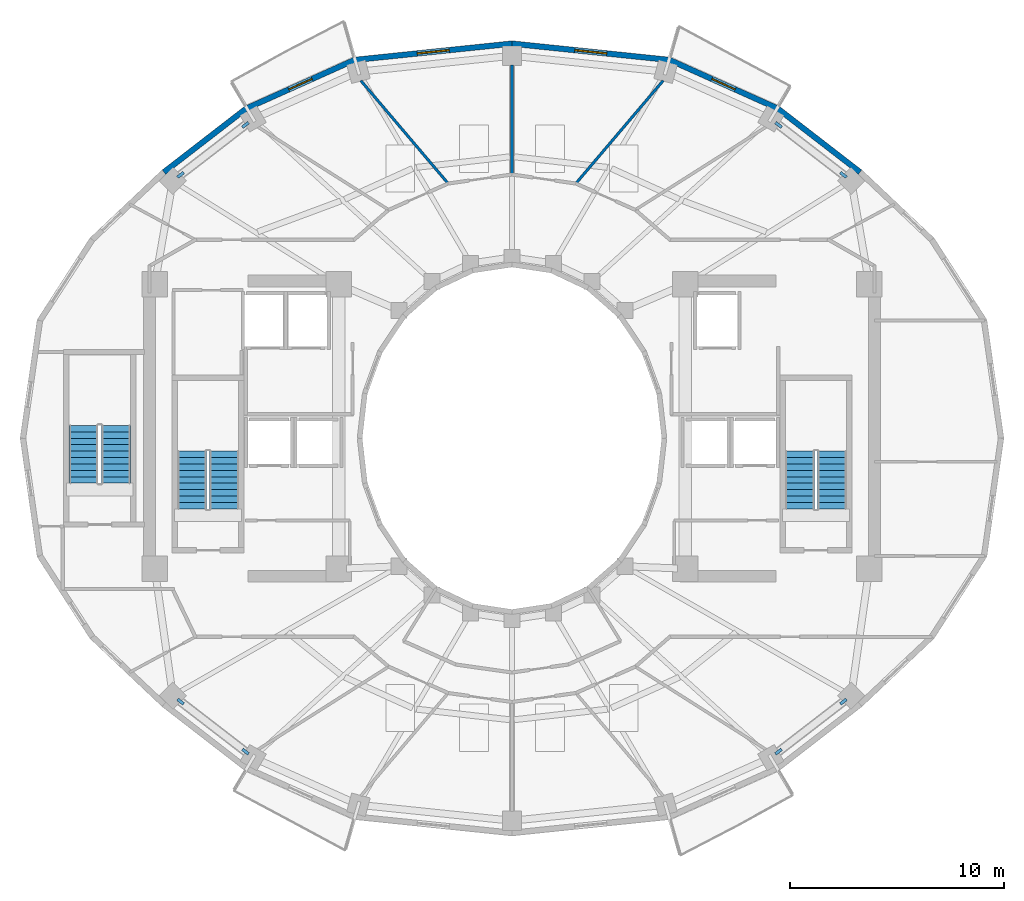
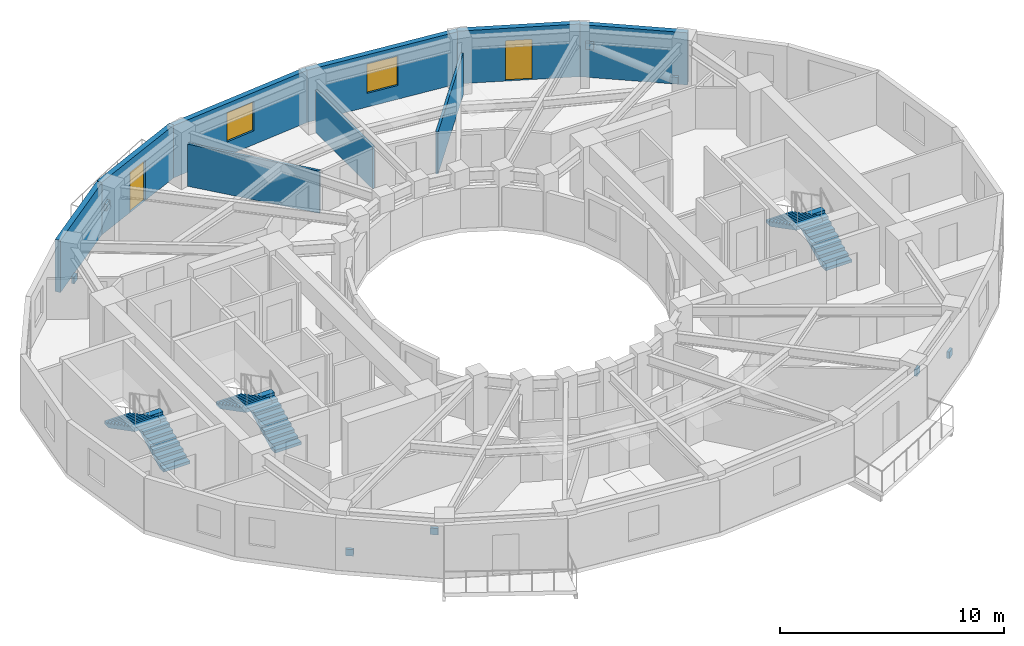
# One storey, part 7 of 10: 9 walls, 8 discrete accessories, 6 stair flights, 2 doors, 2 windows, 4 openings, 3 elements without a shape of their own.
"""IFC4 building model written with IfcOpenShell, lengths in metres."""

import ifcopenshell
import ifcopenshell.guid

model = None  # the IFC model being written
_history = None  # IfcOwnerHistory: only IFC2X3 demands one
_inside = {}  # id of a spatial element -> (the spatial element, [elements in it])
_under = {}  # id of a project, library or spatial element -> (it, [spatial elements below it])
_declared = {}  # id of a project -> (the project, [libraries it declares])
_typed = {}  # id of a type object -> (the type object, [elements of that type])
_made_of = {}  # id of a material, layer set ... -> (it, [elements and type objects made of it])


def new_model(schema):
    """Start an empty IFC model of exactly this schema.

    Asked for "IFC4X3", IfcOpenShell would pick the latest addendum, in which some entities
    have other attributes; the version numbers below select the first issue.
    IFC2X3 requires an IfcOwnerHistory on every rooted entity: one is made here for all.
    """
    global model, _history
    if schema == "IFC4X3":
        model = ifcopenshell.file(schema_version=(4, 3, 0, 0))
    else:
        model = ifcopenshell.file(schema=schema)
    _inside.clear()
    _under.clear()
    _declared.clear()
    _typed.clear()
    _made_of.clear()
    _history = None
    if model.schema == "IFC2X3":
        org = make("IfcOrganization", Name="unknown")
        user = make(
            "IfcPersonAndOrganization",
            ThePerson=make("IfcPerson", FamilyName="unknown"),
            TheOrganization=org,
        )
        app = make(
            "IfcApplication",
            ApplicationDeveloper=org,
            Version="unknown",
            ApplicationFullName="unknown",
            ApplicationIdentifier="unknown",
        )
        _history = make(
            "IfcOwnerHistory",
            OwningUser=user,
            OwningApplication=app,
            ChangeAction="ADDED",
            CreationDate=0,
        )
    return model


def make(cls, **values):
    """One entity of the class cls with the attributes given. An attribute that is None is left unset."""
    return model.create_entity(
        cls, **{name: value for name, value in values.items() if value is not None}
    )


def rooted(cls, **values):
    """An entity with a GlobalId (a new one), such as an element, a storey or a relation."""
    return make(cls, GlobalId=ifcopenshell.guid.new(), OwnerHistory=_history, **values)


def si_unit(unit_type, name, prefix=None):
    """IfcSIUnit, for example si_unit("LENGTHUNIT", "METRE", prefix="MILLI")."""
    return make("IfcSIUnit", UnitType=unit_type, Prefix=prefix, Name=name)


def assignment(units):
    """IfcUnitAssignment: the units of a project."""
    return None if units is None else make("IfcUnitAssignment", Units=units)


def point(xyz):
    """IfcCartesianPoint."""
    return None if xyz is None else make("IfcCartesianPoint", Coordinates=xyz)


def direction(xyz):
    """IfcDirection."""
    return None if xyz is None else make("IfcDirection", DirectionRatios=xyz)


def frame(location, z_axis=None, x_axis=None):
    """IfcAxis2Placement3D, a coordinate frame: its origin and axes. An axis left out is left unset."""
    return make(
        "IfcAxis2Placement3D",
        Location=point(location),
        Axis=direction(z_axis),
        RefDirection=direction(x_axis),
    )


def frame_2d(location, x_axis=None):
    """IfcAxis2Placement2D, a coordinate frame in the plane: its origin and x axis."""
    return make(
        "IfcAxis2Placement2D", Location=point(location), RefDirection=direction(x_axis)
    )


def origin():
    """The frame at (0, 0, 0) with its axes left unset."""
    return frame((0.0, 0.0, 0.0))


def origin_2d():
    """The frame at (0, 0) in the plane with its x axis left unset."""
    return frame_2d((0.0, 0.0))


def place(relative_to, where):
    """IfcLocalPlacement: puts the frame where relative to a parent placement (None: the world)."""
    return make(
        "IfcLocalPlacement", PlacementRelTo=relative_to, RelativePlacement=where
    )


def context(
    kind, dimensions, precision=None, world=None, true_north=None, identifier=None
):
    """IfcGeometricRepresentationContext, for example the 3D "Model" context."""
    return make(
        "IfcGeometricRepresentationContext",
        ContextIdentifier=identifier,
        ContextType=kind,
        CoordinateSpaceDimension=dimensions,
        Precision=precision,
        WorldCoordinateSystem=world,
        TrueNorth=true_north,
    )


def subcontext(parent, identifier, kind, view, scale=None):
    """IfcGeometricRepresentationSubContext, for example "Body" below "Model"."""
    return make(
        "IfcGeometricRepresentationSubContext",
        ContextIdentifier=identifier,
        ContextType=kind,
        ParentContext=parent,
        TargetScale=scale,
        TargetView=view,
    )


def project(units=None, contexts=None):
    """IfcProject with its units and contexts."""
    return rooted(
        "IfcProject",
        Name="project",
        RepresentationContexts=contexts,
        UnitsInContext=assignment(units),
    )


def spatial(cls, under=None, at=None, **own):
    """A site, building, storey or space (cls), placed at a placement, below another one or the project."""
    s = rooted(cls, ObjectPlacement=at, **own)
    if under is not None:
        _under.setdefault(under.id(), (under, []))[1].append(s)
    return s


def polyline(points):
    """IfcPolyline through the points."""
    return make("IfcPolyline", Points=[point(p) for p in points])


def profile(cls, at=None, kind="AREA", **sizes):
    """A parametric profile (cls). Its sizes go by their IFC names, for example OverallWidth=200.0."""
    return make(cls, ProfileType=kind, Position=at, **sizes)


def rectangle(**sizes):
    """IfcRectangleProfileDef."""
    return profile("IfcRectangleProfileDef", **sizes)


def outline(outer, holes=None, kind="AREA"):
    """IfcArbitraryClosedProfileDef: a profile drawn as a closed curve; with holes, ...WithVoids."""
    if holes is None:
        return make("IfcArbitraryClosedProfileDef", ProfileType=kind, OuterCurve=outer)
    return make(
        "IfcArbitraryProfileDefWithVoids",
        ProfileType=kind,
        OuterCurve=outer,
        InnerCurves=holes,
    )


def extrude(swept, where, along, depth):
    """IfcExtrudedAreaSolid: the profile swept, set in the frame where, extruded along a direction by depth."""
    return make(
        "IfcExtrudedAreaSolid",
        SweptArea=swept,
        Position=where,
        ExtrudedDirection=direction(along),
        Depth=depth,
    )


def shape(context_of_items, identifier, shape_type, items):
    """IfcShapeRepresentation: the items that make up one representation, for example the "Body"."""
    return make(
        "IfcShapeRepresentation",
        ContextOfItems=context_of_items,
        RepresentationIdentifier=identifier,
        RepresentationType=shape_type,
        Items=items,
    )


def material(Name=None, Category=None):
    """IfcMaterial."""
    return make("IfcMaterial", Name=Name, Category=Category)


def layer(
    of_material, thickness, ventilated=None, Name=None, Category=None, Priority=None
):
    """IfcMaterialLayer: one layer of a wall or slab, of a material (None: an air gap)."""
    return make(
        "IfcMaterialLayer",
        Material=of_material,
        LayerThickness=thickness,
        IsVentilated=ventilated,
        Name=Name,
        Category=Category,
        Priority=Priority,
    )


def layer_set(layers, Name=None):
    """IfcMaterialLayerSet."""
    return make("IfcMaterialLayerSet", MaterialLayers=layers, LayerSetName=Name)


def made_of(thing, what):
    """Note that an element or type object is made of a material, layer set ...; save() writes the relation."""
    if what is not None:
        _made_of.setdefault(what.id(), (what, []))[1].append(thing)
    return thing


def type_object(cls, material=None, **own):
    """A type object (cls), such as IfcWallType, which elements share."""
    return made_of(rooted(cls, **own), material)


def element(
    cls,
    number,
    at=None,
    inside=None,
    cuts=None,
    type_object=None,
    material=None,
    context=None,
    identifier="Body",
    shape_type=None,
    held_by="IfcProductDefinitionShape",
    body=None,
    shapes=None,
    **own,
):
    """One element of the class cls, such as IfcWall. Its Tag is "e" and its number.

    at: its placement. inside: the storey or other place that contains it. cuts: it is an
    opening in that element (IfcRelVoidsElement). A single representation is given by context,
    identifier, shape_type and body (its items); several are given by shapes. held_by: the class
    of the entity that holds the representations. save() writes the other relations.
    """
    e = rooted(cls, Tag="e%d" % number, ObjectPlacement=at, **own)
    if body is not None:
        shapes = [shape(context, identifier, shape_type, body)]
    if shapes is not None:
        e.Representation = make(held_by, Representations=shapes)
    if inside is not None:
        _inside.setdefault(inside.id(), (inside, []))[1].append(e)
    if cuts is not None:
        rooted(
            "IfcRelVoidsElement", RelatingBuildingElement=cuts, RelatedOpeningElement=e
        )
    if type_object is not None:
        _typed.setdefault(type_object.id(), (type_object, []))[1].append(e)
    return made_of(e, material)


def fill(opening, filler):
    """IfcRelFillsElement: the door or window that sits in an opening."""
    return rooted(
        "IfcRelFillsElement",
        RelatingOpeningElement=opening,
        RelatedBuildingElement=filler,
    )


def aggregate(whole, parts):
    """IfcRelAggregates: a whole, such as a stair, and the parts it consists of."""
    return rooted("IfcRelAggregates", RelatingObject=whole, RelatedObjects=parts)


def save(model, path):
    """Write the relations noted so far, then the file.

    IfcRelAggregates (storeys below a building ...), IfcRelContainedInSpatialStructure (elements
    in a storey), IfcRelDefinesByType, IfcRelAssociatesMaterial and IfcRelDeclares: one each for
    every whole, place, type object, material and project.
    """
    for whole, parts in _under.values():
        aggregate(whole, parts)
    for where, things in _inside.values():
        rooted(
            "IfcRelContainedInSpatialStructure",
            RelatedElements=things,
            RelatingStructure=where,
        )
    for kind, things in _typed.values():
        rooted("IfcRelDefinesByType", RelatedObjects=things, RelatingType=kind)
    for what, things in _made_of.values():
        rooted("IfcRelAssociatesMaterial", RelatedObjects=things, RelatingMaterial=what)
    for by, libraries in _declared.values():
        rooted("IfcRelDeclares", RelatingContext=by, RelatedDefinitions=libraries)
    model.write(path)


model = new_model("IFC4")

# Units and contexts
model_context = context("Model", 3, precision=1e-05, world=origin(), true_north=direction((0.0, 1.0)))
body_context = subcontext(model_context, "Body", "Model", "MODEL_VIEW")
ifc_project = project(units=[si_unit("LENGTHUNIT", "METRE"), si_unit("AREAUNIT", "SQUARE_METRE"), si_unit("VOLUMEUNIT", "CUBIC_METRE"), si_unit("PLANEANGLEUNIT", "RADIAN"), si_unit("MASSUNIT", "GRAM", prefix="KILO")], contexts=[model_context])

# Site, building, storey
site_placement = place(None, origin())
site = spatial("IfcSite", under=ifc_project, at=site_placement, CompositionType="ELEMENT")
building_placement = place(site_placement, origin())
building = spatial("IfcBuilding", under=site, at=building_placement, Name="Solvane Sanctuary Tower", CompositionType="ELEMENT")
storey_placement = place(building_placement, frame((0.0, 0.0, 183.89990234375)))
storey = spatial("IfcBuildingStorey", under=building, at=storey_placement, Name="L56", CompositionType="ELEMENT", Elevation=183.89990234375)

# Wall
ifc_material_1 = material(Name="Precast concrete C40/50", Category="concrete")
ifc_layer_1 = layer(ifc_material_1, 0.260009765625, Name="Precast concrete C40/50")
ifc_layer_set_1 = layer_set([ifc_layer_1], Name="Precast concrete C40/50")
wall_type_1 = type_object("IfcWallType", Name="Wall W-EXT-250", PredefinedType="STANDARD", material=ifc_layer_set_1)
wall_1_placement = place(storey_placement, frame((48.269287109375, 35.44140625, 0.0), z_axis=(0.0, 0.0, 1.0), x_axis=(-0.791460185804, 0.611220724687, 0.0)))
element("IfcWall", 1, at=wall_1_placement, inside=storey, type_object=wall_type_1, Name="L56 Ceramic-Printed Facade Wall 03", PredefinedType="STANDARD", context=body_context, shape_type="SweptSolid", body=[
    extrude(rectangle(XDim=4.872314453125, YDim=0.260009765625, at=frame_2d((2.43603515625, 0.0))), origin(), (0.0, 0.0, 1.0), 2.85009765625),
])

# Wall, opening, door
wall_2_placement = place(storey_placement, frame((44.4130859375, 38.41943359375, 0.0), z_axis=(0.0, 0.0, 1.0), x_axis=(-0.912353637112, 0.409403029847, 0.0)))
wall_2 = element("IfcWall", 2, at=wall_2_placement, inside=storey, type_object=wall_type_1, Name="L56 Balcony Facade Wall N1", PredefinedType="STANDARD", context=body_context, shape_type="SweptSolid", body=[
    extrude(rectangle(XDim=5.53271484375, YDim=0.260009765625, at=frame_2d((2.766357421875, 0.0))), origin(), (0.0, 0.0, 1.0), 2.880126953125),
])
opening_1_placement = place(wall_2_placement, frame((2.16650390625, 0.0, 0.0)))
opening_1 = element("IfcOpeningElement", 3, at=opening_1_placement, cuts=wall_2, Name="Opening D-L56-01", PredefinedType="OPENING", context=body_context, shape_type="SweptSolid", body=[
    extrude(rectangle(XDim=1.199951171875, YDim=2.199951171875, at=frame_2d((0.60009765625, 1.10009765625))), frame((0.0, 0.139892578125, 0.0), z_axis=(0.0, -1.0, 0.0), x_axis=(1.0, 0.0, 0.0)), (0.0, 0.0, 1.0), 0.280029296875),
])
ifc_material_2 = material(Name="Anodised Aluminium 6063-T6", Category="aluminium")
door_type = type_object("IfcDoorType", Name="Door D-BALC-1200", OperationType="NOTDEFINED", PredefinedType="DOOR", material=ifc_material_2)
door_1_placement = place(opening_1_placement, origin())
door_1 = element("IfcDoor", 4, at=door_1_placement, inside=storey, type_object=door_type, Name="L56 Glazed Balcony Door N1", OperationType="SINGLE_SWING_RIGHT", OverallHeight=2.199951171875, OverallWidth=1.199951171875, PredefinedType="DOOR", context=body_context, shape_type="SweptSolid", body=[
    extrude(rectangle(XDim=1.199951171875, YDim=2.199951171875, at=frame_2d((0.60009765625, 1.10009765625))), frame((0.0, 0.02490234375, 0.0), z_axis=(0.0, -1.0, 0.0), x_axis=(1.0, 0.0, 0.0)), (0.0, 0.0, 1.0), 0.050048828125),
])
fill(opening_1, door_1)

# Wall, opening, window
wall_3_placement = place(storey_placement, frame((39.365234375, 40.6845703125, 0.0), z_axis=(0.0, 0.0, 1.0), x_axis=(-0.994664178965, 0.10316574569, 0.0)))
wall_3 = element("IfcWall", 5, at=wall_3_placement, inside=storey, type_object=wall_type_1, Name="L56 Ceramic-Printed Facade Wall 05", PredefinedType="STANDARD", context=body_context, shape_type="SweptSolid", body=[
    extrude(rectangle(XDim=7.40478515625, YDim=0.260009765625, at=frame_2d((3.702392578125, 0.0))), origin(), (0.0, 0.0, 1.0), 2.85009765625),
])
opening_2_placement = place(wall_3_placement, frame((2.952392578125, 0.0, 0.75)))
opening_2 = element("IfcOpeningElement", 6, at=opening_2_placement, cuts=wall_3, Name="Opening WN-OPER-1500", PredefinedType="OPENING", context=body_context, shape_type="SweptSolid", body=[
    extrude(rectangle(XDim=1.5, YDim=1.60009765625, at=frame_2d((0.75, 0.800048828125))), frame((0.0, 0.139892578125, 0.0), z_axis=(0.0, -1.0, 0.0), x_axis=(1.0, 0.0, 0.0)), (0.0, 0.0, 1.0), 0.280029296875),
])
ifc_material_3 = material(Name="Dark Ceramic-Fritted Low-E Glass", Category="glass")
window_type = type_object("IfcWindowType", Name="Window WN-OPER-1500", PartitioningType="SINGLE_PANEL", PredefinedType="WINDOW", material=ifc_material_3)
window_1_placement = place(opening_2_placement, origin())
window_1 = element("IfcWindow", 7, at=window_1_placement, inside=storey, type_object=window_type, Name="L56 Operable Facade Window 05", OverallHeight=1.60009765625, OverallWidth=1.5, PartitioningType="SINGLE_PANEL", PredefinedType="WINDOW", context=body_context, shape_type="SweptSolid", body=[
    extrude(rectangle(XDim=1.5, YDim=1.60009765625, at=frame_2d((0.75, 0.800048828125))), frame((0.0, 0.030029296875, 0.0), z_axis=(0.0, -1.0, 0.0), x_axis=(1.0, 0.0, 0.0)), (0.0, 0.0, 1.0), 0.06005859375),
])
fill(opening_2, window_1)

wall_4_placement = place(storey_placement, frame((32.0, 41.448486328125, 0.0), z_axis=(0.0, 0.0, 1.0), x_axis=(-0.994664178965, -0.10316574569, 0.0)))
wall_4 = element("IfcWall", 8, at=wall_4_placement, inside=storey, type_object=wall_type_1, Name="L56 Ceramic-Printed Facade Wall 06", PredefinedType="STANDARD", context=body_context, shape_type="SweptSolid", body=[
    extrude(rectangle(XDim=7.40478515625, YDim=0.260009765625, at=frame_2d((3.702392578125, 0.0))), origin(), (0.0, 0.0, 1.0), 2.85009765625),
])
opening_3_placement = place(wall_4_placement, frame((2.952392578125, 0.0, 0.75)))
opening_3 = element("IfcOpeningElement", 9, at=opening_3_placement, cuts=wall_4, Name="Opening WN-OPER-1500", PredefinedType="OPENING", context=body_context, shape_type="SweptSolid", body=[
    extrude(rectangle(XDim=1.5, YDim=1.60009765625, at=frame_2d((0.75, 0.800048828125))), frame((0.0, 0.139892578125, 0.0), z_axis=(0.0, -1.0, 0.0), x_axis=(1.0, 0.0, 0.0)), (0.0, 0.0, 1.0), 0.280029296875),
])
window_2_placement = place(opening_3_placement, origin())
window_2 = element("IfcWindow", 10, at=window_2_placement, inside=storey, type_object=window_type, Name="L56 Operable Facade Window 06", OverallHeight=1.60009765625, OverallWidth=1.5, PartitioningType="SINGLE_PANEL", PredefinedType="WINDOW", context=body_context, shape_type="SweptSolid", body=[
    extrude(rectangle(XDim=1.5, YDim=1.60009765625, at=frame_2d((0.75, 0.800048828125))), frame((0.0, 0.030029296875, 0.0), z_axis=(0.0, -1.0, 0.0), x_axis=(1.0, 0.0, 0.0)), (0.0, 0.0, 1.0), 0.06005859375),
])
fill(opening_3, window_2)

# Wall, opening, door
wall_5_placement = place(storey_placement, frame((24.634765625, 40.6845703125, 0.0), z_axis=(0.0, 0.0, 1.0), x_axis=(-0.912353637112, -0.409403029847, 0.0)))
wall_5 = element("IfcWall", 11, at=wall_5_placement, inside=storey, type_object=wall_type_1, Name="L56 Balcony Facade Wall N2", PredefinedType="STANDARD", context=body_context, shape_type="SweptSolid", body=[
    extrude(rectangle(XDim=5.53271484375, YDim=0.260009765625, at=frame_2d((2.766357421875, 0.0))), origin(), (0.0, 0.0, 1.0), 2.880126953125),
])
opening_4_placement = place(wall_5_placement, frame((2.16650390625, 0.0, 0.0)))
opening_4 = element("IfcOpeningElement", 12, at=opening_4_placement, cuts=wall_5, Name="Opening D-L56-02", PredefinedType="OPENING", context=body_context, shape_type="SweptSolid", body=[
    extrude(rectangle(XDim=1.199951171875, YDim=2.199951171875, at=frame_2d((0.60009765625, 1.10009765625))), frame((0.0, 0.139892578125, 0.0), z_axis=(0.0, -1.0, 0.0), x_axis=(1.0, 0.0, 0.0)), (0.0, 0.0, 1.0), 0.280029296875),
])
door_2_placement = place(opening_4_placement, origin())
door_2 = element("IfcDoor", 13, at=door_2_placement, inside=storey, type_object=door_type, Name="L56 Glazed Balcony Door N2", OperationType="SINGLE_SWING_LEFT", OverallHeight=2.199951171875, OverallWidth=1.199951171875, PredefinedType="DOOR", context=body_context, shape_type="SweptSolid", body=[
    extrude(rectangle(XDim=1.199951171875, YDim=2.199951171875, at=frame_2d((0.60009765625, 1.10009765625))), frame((0.0, 0.02490234375, 0.0), z_axis=(0.0, -1.0, 0.0), x_axis=(1.0, 0.0, 0.0)), (0.0, 0.0, 1.0), 0.050048828125),
])
fill(opening_4, door_2)

# Walls
wall_6_placement = place(storey_placement, frame((19.5869140625, 38.41943359375, 0.0), z_axis=(0.0, 0.0, 1.0), x_axis=(-0.791460185804, -0.611220724687, 0.0)))
element("IfcWall", 14, at=wall_6_placement, inside=storey, type_object=wall_type_1, Name="L56 Ceramic-Printed Facade Wall 08", PredefinedType="STANDARD", context=body_context, shape_type="SweptSolid", body=[
    extrude(rectangle(XDim=4.872314453125, YDim=0.260009765625, at=frame_2d((2.43603515625, 0.0))), origin(), (0.0, 0.0, 1.0), 2.85009765625),
])
ifc_material_4 = material(Name="Acoustic Gypsum Partition Board")
ifc_layer_2 = layer(ifc_material_4, 0.125, Name="Acoustic Gypsum Partition Board")
ifc_layer_set_2 = layer_set([ifc_layer_2], Name="Acoustic Gypsum Partition Board")
wall_type_2 = type_object("IfcWallType", Name="Wall W-PART-125", PredefinedType="PARTITIONING", material=ifc_layer_set_2)
wall_7_placement = place(storey_placement, frame((35.019775390625, 34.951904296875, 0.0), z_axis=(0.0, 0.0, 1.0), x_axis=(0.647173462792, 0.762342776615, 0.0)))
element("IfcWall", 15, at=wall_7_placement, inside=storey, type_object=wall_type_2, Name="L56 Radial Compartment Wall 075", PredefinedType="PARTITIONING", context=body_context, shape_type="SweptSolid", body=[
    extrude(rectangle(XDim=6.25341796875, YDim=0.125, at=frame_2d((3.126708984375, 0.0))), origin(), (0.0, 0.0, 1.0), 2.299072265625),
])
wall_8_placement = place(storey_placement, frame((32.0, 35.385009765625, 0.0), z_axis=(0.0, 0.0, 1.0), x_axis=(0.0, 1.0, 0.0)))
element("IfcWall", 16, at=wall_8_placement, inside=storey, type_object=wall_type_2, Name="L56 Radial Compartment Wall 090", PredefinedType="PARTITIONING", context=body_context, shape_type="SweptSolid", body=[
    extrude(rectangle(XDim=5.06494140625, YDim=0.125, at=frame_2d((2.532470703125, 0.0))), origin(), (0.0, 0.0, 1.0), 2.299072265625),
])
wall_9_placement = place(storey_placement, frame((28.980224609375, 34.951904296875, 0.0), z_axis=(0.0, 0.0, 1.0), x_axis=(-0.647173462792, 0.762342776615, 0.0)))
element("IfcWall", 17, at=wall_9_placement, inside=storey, type_object=wall_type_2, Name="L56 Radial Compartment Wall 105", PredefinedType="PARTITIONING", context=body_context, shape_type="SweptSolid", body=[
    extrude(rectangle(XDim=6.25341796875, YDim=0.125, at=frame_2d((3.126708984375, 0.0))), origin(), (0.0, 0.0, 1.0), 2.299072265625),
])

# Stair, stair flights
ifc_material_5 = material(Name="Concrete C45/55", Category="concrete")
stair_type = type_object("IfcStairType", Name="Stair ST-TOW", PredefinedType="HALF_TURN_STAIR", material=ifc_material_5)
stair_1_placement = place(storey_placement, origin())
stair_1 = element("IfcStair", 18, at=stair_1_placement, inside=storey, type_object=stair_type, Name="L56 Exit Stair ST-1 West Core", PredefinedType="HALF_TURN_STAIR")
stair_flight_type = type_object("IfcStairFlightType", Name="StairFlight SF-TOW", PredefinedType="STRAIGHT", material=ifc_material_5)
stair_flight_1_placement = place(storey_placement, frame((18.544921875, 19.699951171875, 0.0), z_axis=(0.0, 0.0, 1.0), x_axis=(0.0, 1.0, 0.0)))
stair_flight_1 = element("IfcStairFlight", 19, at=stair_flight_1_placement, type_object=stair_flight_type, Name="ST-1 flight 1", NumberOfRisers=10, NumberOfTreads=9, PredefinedType="STRAIGHT", RiserHeight=0.155, TreadLength=0.3, context=body_context, shape_type="SweptSolid", body=[
    extrude(outline(polyline([(0.0, 0.0), (0.0, 0.155029296875), (0.300048828125, 0.155029296875), (0.300048828125, 0.31005859375), (0.60009765625, 0.31005859375), (0.60009765625, 0.465087890625), (0.89990234375, 0.465087890625), (0.89990234375, 0.6201171875), (1.199951171875, 0.6201171875), (1.199951171875, 0.77490234375), (1.5, 0.77490234375), (1.5, 0.929931640625), (1.800048828125, 0.929931640625), (1.800048828125, 1.0849609375), (2.10009765625, 1.0849609375), (2.10009765625, 1.239990234375), (2.39990234375, 1.239990234375), (2.39990234375, 1.39501953125), (2.699951171875, 1.39501953125), (2.699951171875, 1.550048828125), (2.699951171875, 1.1923828125), (0.39208984375, 0.0), (0.0, 0.0)])), frame((0.0, 0.675048828125, 0.0), z_axis=(0.0, -1.0, 0.0), x_axis=(1.0, 0.0, 0.0)), (0.0, 0.0, 1.0), 1.35009765625),
])
stair_flight_2_placement = place(storey_placement, frame((17.034912109375, 22.39990234375, 1.550048828125), z_axis=(0.0, 0.0, 1.0), x_axis=(0.0, -1.0, 0.0)))
stair_flight_2 = element("IfcStairFlight", 20, at=stair_flight_2_placement, type_object=stair_flight_type, Name="ST-1 flight 2", NumberOfRisers=10, NumberOfTreads=9, PredefinedType="STRAIGHT", RiserHeight=0.155, TreadLength=0.3, context=body_context, shape_type="SweptSolid", body=[
    extrude(outline(polyline([(0.0, 0.0), (0.0, 0.155029296875), (0.300048828125, 0.155029296875), (0.300048828125, 0.31005859375), (0.60009765625, 0.31005859375), (0.60009765625, 0.465087890625), (0.89990234375, 0.465087890625), (0.89990234375, 0.6201171875), (1.199951171875, 0.6201171875), (1.199951171875, 0.77490234375), (1.5, 0.77490234375), (1.5, 0.929931640625), (1.800048828125, 0.929931640625), (1.800048828125, 1.0849609375), (2.10009765625, 1.0849609375), (2.10009765625, 1.239990234375), (2.39990234375, 1.239990234375), (2.39990234375, 1.39501953125), (2.699951171875, 1.39501953125), (2.699951171875, 1.550048828125), (2.699951171875, 1.1923828125), (0.39208984375, 0.0), (0.0, 0.0)])), frame((0.0, 0.675048828125, 0.0), z_axis=(0.0, -1.0, 0.0), x_axis=(1.0, 0.0, 0.0)), (0.0, 0.0, 1.0), 1.35009765625),
])
aggregate(stair_1, [stair_flight_1, stair_flight_2])

stair_2_placement = place(storey_placement, origin())
stair_2 = element("IfcStair", 21, at=stair_2_placement, inside=storey, type_object=stair_type, Name="L56 Exit Stair ST-2 East Core", PredefinedType="HALF_TURN_STAIR")
stair_flight_3_placement = place(storey_placement, frame((46.965087890625, 19.699951171875, 0.0), z_axis=(0.0, 0.0, 1.0), x_axis=(0.0, 1.0, 0.0)))
stair_flight_3 = element("IfcStairFlight", 22, at=stair_flight_3_placement, type_object=stair_flight_type, Name="ST-2 flight 1", NumberOfRisers=10, NumberOfTreads=9, PredefinedType="STRAIGHT", RiserHeight=0.155, TreadLength=0.3, context=body_context, shape_type="SweptSolid", body=[
    extrude(outline(polyline([(0.0, 0.0), (0.0, 0.155029296875), (0.300048828125, 0.155029296875), (0.300048828125, 0.31005859375), (0.60009765625, 0.31005859375), (0.60009765625, 0.465087890625), (0.89990234375, 0.465087890625), (0.89990234375, 0.6201171875), (1.199951171875, 0.6201171875), (1.199951171875, 0.77490234375), (1.5, 0.77490234375), (1.5, 0.929931640625), (1.800048828125, 0.929931640625), (1.800048828125, 1.0849609375), (2.10009765625, 1.0849609375), (2.10009765625, 1.239990234375), (2.39990234375, 1.239990234375), (2.39990234375, 1.39501953125), (2.699951171875, 1.39501953125), (2.699951171875, 1.550048828125), (2.699951171875, 1.1923828125), (0.39208984375, 0.0), (0.0, 0.0)])), frame((0.0, 0.675048828125, 0.0), z_axis=(0.0, -1.0, 0.0), x_axis=(1.0, 0.0, 0.0)), (0.0, 0.0, 1.0), 1.35009765625),
])
stair_flight_4_placement = place(storey_placement, frame((45.455078125, 22.39990234375, 1.550048828125), z_axis=(0.0, 0.0, 1.0), x_axis=(0.0, -1.0, 0.0)))
stair_flight_4 = element("IfcStairFlight", 23, at=stair_flight_4_placement, type_object=stair_flight_type, Name="ST-2 flight 2", NumberOfRisers=10, NumberOfTreads=9, PredefinedType="STRAIGHT", RiserHeight=0.155, TreadLength=0.3, context=body_context, shape_type="SweptSolid", body=[
    extrude(outline(polyline([(0.0, 0.0), (0.0, 0.155029296875), (0.300048828125, 0.155029296875), (0.300048828125, 0.31005859375), (0.60009765625, 0.31005859375), (0.60009765625, 0.465087890625), (0.89990234375, 0.465087890625), (0.89990234375, 0.6201171875), (1.199951171875, 0.6201171875), (1.199951171875, 0.77490234375), (1.5, 0.77490234375), (1.5, 0.929931640625), (1.800048828125, 0.929931640625), (1.800048828125, 1.0849609375), (2.10009765625, 1.0849609375), (2.10009765625, 1.239990234375), (2.39990234375, 1.239990234375), (2.39990234375, 1.39501953125), (2.699951171875, 1.39501953125), (2.699951171875, 1.550048828125), (2.699951171875, 1.1923828125), (0.39208984375, 0.0), (0.0, 0.0)])), frame((0.0, 0.675048828125, 0.0), z_axis=(0.0, -1.0, 0.0), x_axis=(1.0, 0.0, 0.0)), (0.0, 0.0, 1.0), 1.35009765625),
])
aggregate(stair_2, [stair_flight_3, stair_flight_4])

stair_3_placement = place(storey_placement, origin())
stair_3 = element("IfcStair", 24, at=stair_3_placement, inside=storey, type_object=stair_type, Name="L56 Exit Stair ST-3 Pilgrim Tower Stair", PredefinedType="HALF_TURN_STAIR")
stair_flight_5_placement = place(storey_placement, frame((13.485107421875, 20.89990234375, 0.0), z_axis=(0.0, 0.0, 1.0), x_axis=(0.0, 1.0, 0.0)))
stair_flight_5 = element("IfcStairFlight", 25, at=stair_flight_5_placement, type_object=stair_flight_type, Name="ST-3 flight 1", NumberOfRisers=10, NumberOfTreads=9, PredefinedType="STRAIGHT", RiserHeight=0.155, TreadLength=0.3, context=body_context, shape_type="SweptSolid", body=[
    extrude(outline(polyline([(0.0, 0.0), (0.0, 0.155029296875), (0.300048828125, 0.155029296875), (0.300048828125, 0.31005859375), (0.60009765625, 0.31005859375), (0.60009765625, 0.465087890625), (0.89990234375, 0.465087890625), (0.89990234375, 0.6201171875), (1.199951171875, 0.6201171875), (1.199951171875, 0.77490234375), (1.5, 0.77490234375), (1.5, 0.929931640625), (1.800048828125, 0.929931640625), (1.800048828125, 1.0849609375), (2.10009765625, 1.0849609375), (2.10009765625, 1.239990234375), (2.39990234375, 1.239990234375), (2.39990234375, 1.39501953125), (2.699951171875, 1.39501953125), (2.699951171875, 1.550048828125), (2.699951171875, 1.1923828125), (0.39208984375, 0.0), (0.0, 0.0)])), frame((0.0, 0.675048828125, 0.0), z_axis=(0.0, -1.0, 0.0), x_axis=(1.0, 0.0, 0.0)), (0.0, 0.0, 1.0), 1.35009765625),
])
stair_flight_6_placement = place(storey_placement, frame((11.97509765625, 23.60009765625, 1.550048828125), z_axis=(0.0, 0.0, 1.0), x_axis=(0.0, -1.0, 0.0)))
stair_flight_6 = element("IfcStairFlight", 26, at=stair_flight_6_placement, type_object=stair_flight_type, Name="ST-3 flight 2", NumberOfRisers=10, NumberOfTreads=9, PredefinedType="STRAIGHT", RiserHeight=0.155, TreadLength=0.3, context=body_context, shape_type="SweptSolid", body=[
    extrude(outline(polyline([(0.0, 0.0), (0.0, 0.155029296875), (0.300048828125, 0.155029296875), (0.300048828125, 0.31005859375), (0.60009765625, 0.31005859375), (0.60009765625, 0.465087890625), (0.89990234375, 0.465087890625), (0.89990234375, 0.6201171875), (1.199951171875, 0.6201171875), (1.199951171875, 0.77490234375), (1.5, 0.77490234375), (1.5, 0.929931640625), (1.800048828125, 0.929931640625), (1.800048828125, 1.0849609375), (2.10009765625, 1.0849609375), (2.10009765625, 1.239990234375), (2.39990234375, 1.239990234375), (2.39990234375, 1.39501953125), (2.699951171875, 1.39501953125), (2.699951171875, 1.550048828125), (2.699951171875, 1.1923828125), (0.39208984375, 0.0), (0.0, 0.0)])), frame((0.0, 0.675048828125, 0.0), z_axis=(0.0, -1.0, 0.0), x_axis=(1.0, 0.0, 0.0)), (0.0, 0.0, 1.0), 1.35009765625),
])
aggregate(stair_3, [stair_flight_5, stair_flight_6])

# Discrete accessories
ifc_material_6 = material(Name="Steel ASTM A572 Grade 50", Category="steel")
ifc_layer_3 = layer(ifc_material_6, 0.360107421875, Name="Steel ASTM A572 Grade 50")
ifc_layer_set_3 = layer_set([ifc_layer_3], Name="Steel ASTM A572 Grade 50")
discrete_accessory_type = type_object("IfcDiscreteAccessoryType", Name="Accessory ACC-GUSSET-BRK", PredefinedType="BRACKET", material=ifc_layer_set_3)
for number, where, z_axis, x_axis, name in (
    (27, (47.493408203125, 35.31103515625, 0.380859375), (0.0, 0.0, 1.0), (-0.79207661425, 0.610421687982, 0.0), "L56 Perimeter Braced-Tube Diagonal NE End Gusset Bracket A"),
    (28, (44.46142578125, 37.64794921875, 1.88916015625), (0.0, 0.0, 1.0), (-0.79207661425, 0.610421687982, 0.0), "L56 Perimeter Braced-Tube Diagonal NE End Gusset Bracket B"),
    (29, (16.506591796875, 35.31103515625, 0.380859375), (0.0, 0.0, 1.0), (0.79207661425, 0.610421687982, 0.0), "L56 Perimeter Braced-Tube Diagonal NW End Gusset Bracket A"),
    (30, (19.53857421875, 37.64794921875, 1.88916015625), (0.0, 0.0, 1.0), (0.79207661425, 0.610421687982, 0.0), "L56 Perimeter Braced-Tube Diagonal NW End Gusset Bracket B"),
    (31, (16.506591796875, 10.68896484375, 0.380859375), (0.0, 0.0, 1.0), (0.79207661425, -0.610421687982, 0.0), "L56 Perimeter Braced-Tube Diagonal SW End Gusset Bracket A"),
    (32, (19.53857421875, 8.35205078125, 1.88916015625), (0.0, 0.0, 1.0), (0.79207661425, -0.610421687982, 0.0), "L56 Perimeter Braced-Tube Diagonal SW End Gusset Bracket B"),
    (33, (47.493408203125, 10.68896484375, 0.380859375), (0.0, 0.0, 1.0), (-0.79207661425, -0.610421687982, 0.0), "L56 Perimeter Braced-Tube Diagonal SE End Gusset Bracket A"),
    (34, (44.46142578125, 8.35205078125, 1.88916015625), (0.0, 0.0, 1.0), (-0.79207661425, -0.610421687982, 0.0), "L56 Perimeter Braced-Tube Diagonal SE End Gusset Bracket B"),
):
    element("IfcDiscreteAccessory", number, at=place(storey_placement, frame(where, z_axis=z_axis, x_axis=x_axis)), inside=storey, type_object=discrete_accessory_type, Name=name, PredefinedType="BRACKET", context=body_context, shape_type="SweptSolid", body=[
        extrude(rectangle(XDim=0.360107421875, YDim=0.139892578125, at=origin_2d()), origin(), (0.0, 0.0, 1.0), 0.360107421875),
    ])

save(model, "model.ifc")
